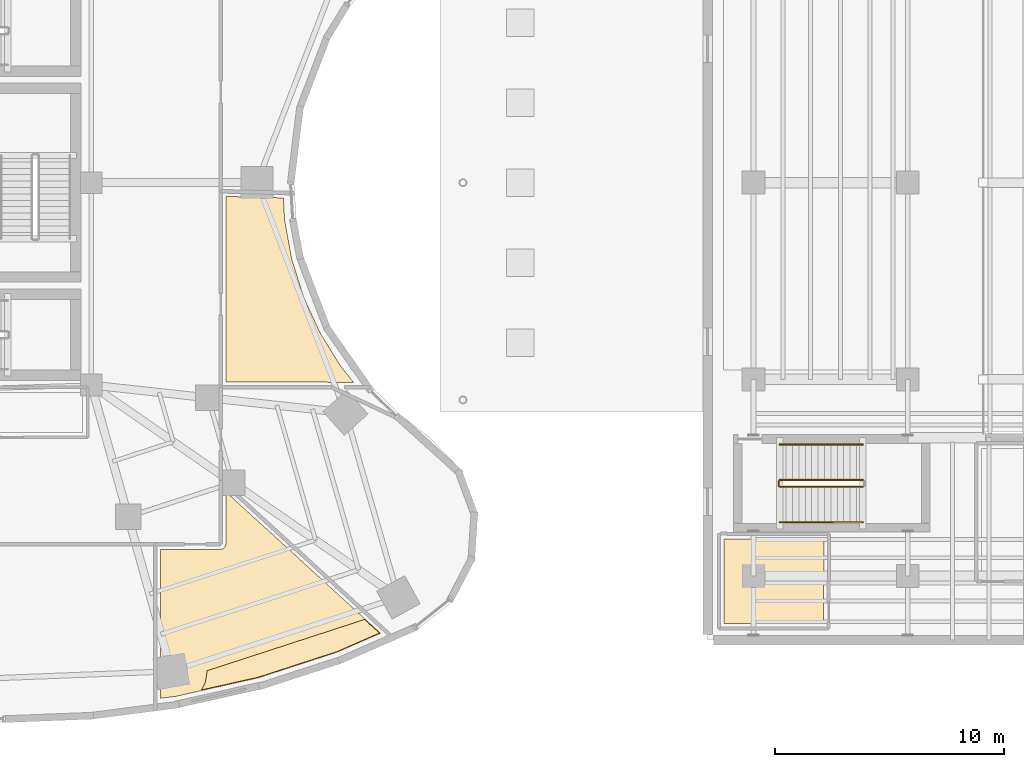
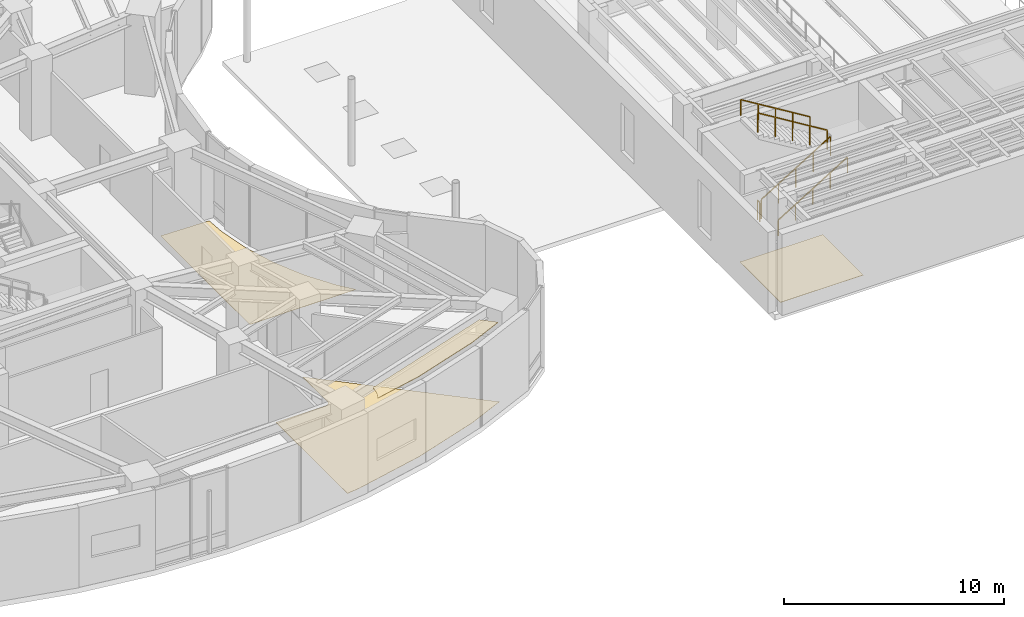
# One storey, part 22 of 24: 5 railings, 4 coverings.
"""IFC4 building model written with IfcOpenShell, lengths in metres."""

from ifc_helpers import new_model, si_unit, direction, frame, origin, origin_2d, place, context, subcontext, project, spatial, polyline, rectangle, outline, extrude, material, layer, layer_set, type_object, element, save


model = new_model("IFC4")

# Units and contexts
model_context = context("Model", 3, precision=1e-05, world=origin(), true_north=direction((0.0, 1.0)))
body_context = subcontext(model_context, "Body", "Model", "MODEL_VIEW")
ifc_project = project(units=[si_unit("LENGTHUNIT", "METRE"), si_unit("AREAUNIT", "SQUARE_METRE"), si_unit("VOLUMEUNIT", "CUBIC_METRE"), si_unit("PLANEANGLEUNIT", "RADIAN"), si_unit("MASSUNIT", "GRAM", prefix="KILO")], contexts=[model_context])

# Site, building, storey
site_placement = place(None, origin())
site = spatial("IfcSite", under=ifc_project, at=site_placement, CompositionType="ELEMENT")
building_placement = place(site_placement, origin())
building = spatial("IfcBuilding", under=site, at=building_placement, Name="Korentha Bioscience Tower", CompositionType="ELEMENT")
storey_placement = place(building_placement, frame((0.0, 0.0, 10.199951171875)))
storey = spatial("IfcBuildingStorey", under=building, at=storey_placement, Name="L02", CompositionType="ELEMENT", Elevation=10.199951171875)

# Covering
ifc_material_1 = material(Name="Vitrified Porcelain Tile", Category="ceramic")
ifc_layer_1 = layer(ifc_material_1, 0.014892578125, Name="Vitrified Porcelain Tile")
ifc_layer_set_1 = layer_set([ifc_layer_1], Name="Vitrified Porcelain Tile (FL-CER)")
covering_type_1 = type_object("IfcCoveringType", Name="Anti-Slip Ceramic Wet-Room Tile Flooring 15", PredefinedType="FLOORING", material=ifc_layer_set_1)
covering_1_placement = place(storey_placement, origin())
element("IfcCovering", 1, at=covering_1_placement, inside=storey, type_object=covering_type_1, Name="L02 L02 Theatre Public Restrooms Floor Finish", PredefinedType="FLOORING", context=body_context, shape_type="SweptSolid", body=[
    extrude(outline(polyline([(65.219970703125, 11.429931640625), (69.580078125, 11.419921875), (69.570068359375, 7.719970703125), (65.219970703125, 7.719970703125), (65.219970703125, 11.429931640625)])), origin(), (0.0, 0.0, 1.0), 0.01513671875),
])

# Railings
ifc_material_2 = material(Name="Stainless Steel 304", Category="steel")
railing_type_1 = type_object("IfcRailingType", Name="Brushed Stainless Stair Handrail 900", PredefinedType="HANDRAIL", material=ifc_material_2)
railing_1_placement = place(storey_placement, frame((67.64990234375, 12.14990234375, 0.17138671875)))
element("IfcRailing", 2, at=railing_1_placement, inside=storey, type_object=railing_type_1, Name="L02 ST-T1 stair handrail 1", PredefinedType="HANDRAIL", context=body_context, shape_type="SweptSolid", body=[
    extrude(rectangle(XDim=0.048095703125, YDim=0.048095703125, at=origin_2d()), frame((0.0, 0.0, 0.8759765625), z_axis=(0.852840387347, 0.0, 0.522171689878), x_axis=(0.0, 1.0, 0.0)), (0.0, 0.0, 1.0), 4.268310546875),
    extrude(rectangle(XDim=0.0419921875, YDim=0.0419921875, at=origin_2d()), origin(), (0.0, 0.0, 1.0), 0.851806640625),
    extrude(rectangle(XDim=0.0419921875, YDim=0.0419921875, at=origin_2d()), frame((0.91015625, 0.0, 0.55712890625)), (0.0, 0.0, 1.0), 0.851806640625),
    extrude(rectangle(XDim=0.0419921875, YDim=0.0419921875, at=origin_2d()), frame((1.820068359375, 0.0, 1.1142578125)), (0.0, 0.0, 1.0), 0.851806640625),
    extrude(rectangle(XDim=0.0419921875, YDim=0.0419921875, at=origin_2d()), frame((2.72998046875, 0.0, 1.671630859375)), (0.0, 0.0, 1.0), 0.851806640625),
    extrude(rectangle(XDim=0.0419921875, YDim=0.0419921875, at=origin_2d()), frame((3.64013671875, 0.0, 2.228759765625)), (0.0, 0.0, 1.0), 0.851806640625),
])
railing_2_placement = place(storey_placement, frame((71.2900390625, 15.550048828125, 2.571533203125)))
element("IfcRailing", 3, at=railing_2_placement, inside=storey, type_object=railing_type_1, Name="L02 ST-T1 stair handrail 2", PredefinedType="HANDRAIL", context=body_context, shape_type="SweptSolid", body=[
    extrude(rectangle(XDim=0.048095703125, YDim=0.048095703125, at=origin_2d()), frame((0.0, 0.0, 0.8759765625), z_axis=(-0.852865859571, 0.0, 0.52213008492), x_axis=(0.0, -1.0, 0.0)), (0.0, 0.0, 1.0), 4.26806640625),
    extrude(rectangle(XDim=0.0419921875, YDim=0.0419921875, at=origin_2d()), origin(), (0.0, 0.0, 1.0), 0.851806640625),
    extrude(rectangle(XDim=0.0419921875, YDim=0.0419921875, at=origin_2d()), frame((-0.91015625, 0.0, 0.55712890625)), (0.0, 0.0, 1.0), 0.851806640625),
    extrude(rectangle(XDim=0.0419921875, YDim=0.0419921875, at=origin_2d()), frame((-1.820068359375, 0.0, 1.1142578125)), (0.0, 0.0, 1.0), 0.851806640625),
    extrude(rectangle(XDim=0.0419921875, YDim=0.0419921875, at=origin_2d()), frame((-2.72998046875, 0.0, 1.67138671875)), (0.0, 0.0, 1.0), 0.851806640625),
    extrude(rectangle(XDim=0.0419921875, YDim=0.0419921875, at=origin_2d()), frame((-3.64013671875, 0.0, 2.228515625)), (0.0, 0.0, 1.0), 0.851806640625),
])

# Covering
ifc_material_3 = material(Name="Antimicrobial Mineral Fibre Board", Category="gypsum")
ifc_layer_2 = layer(ifc_material_3, 0.034912109375, Name="Antimicrobial Mineral Fibre Board")
ifc_layer_set_2 = layer_set([ifc_layer_2], Name="Antimicrobial Mineral Fibre Board (CL-MF35)")
covering_type_2 = type_object("IfcCoveringType", Name="Mineral-Fibre Cleanroom Suspended Ceiling 35", PredefinedType="CEILING", material=ifc_layer_set_2)
covering_2_placement = place(storey_placement, frame((0.0, 0.0, 4.4150390625)))
element("IfcCovering", 4, at=covering_2_placement, inside=storey, type_object=covering_type_2, Name="L02 Faculty Dining Restaurant 06 Acoustic Ceiling", PredefinedType="CEILING", context=body_context, shape_type="SweptSolid", body=[
    extrude(outline(polyline([(49.49658203125, 7.89990234375), (50.14501953125, 7.306884765625), (48.299560546875, 6.498291015625), (44.849365234375, 5.376220703125), (42.370849609375, 4.821533203125), (42.484619140625, 5.0400390625), (42.535888671875, 5.183349609375), (42.594970703125, 5.4814453125), (42.601318359375, 5.65478515625), (49.49658203125, 7.89990234375)])), origin(), (0.0, 0.0, 1.0), 0.034912109375),
])

# Railings
ifc_material_4 = material(Name="Painted Steel S275", Category="steel")
railing_type_2 = type_object("IfcRailingType", Name="Painted Steel Stair Well Guardrail 1100", PredefinedType="GUARDRAIL", material=ifc_material_4)
railing_3_placement = place(storey_placement, frame((67.64990234375, 13.699951171875, 0.17138671875)))
element("IfcRailing", 5, at=railing_3_placement, inside=storey, type_object=railing_type_2, Name="L02 ST-T1 stair guard 1", PredefinedType="GUARDRAIL", context=body_context, shape_type="SweptSolid", body=[
    extrude(rectangle(XDim=0.048095703125, YDim=0.048095703125, at=origin_2d()), frame((0.0, 0.0, 1.076171875), z_axis=(0.852840387347, 0.0, 0.522171689878), x_axis=(0.0, 1.0, 0.0)), (0.0, 0.0, 1.0), 4.268310546875),
    extrude(rectangle(XDim=0.0419921875, YDim=0.0419921875, at=origin_2d()), origin(), (0.0, 0.0, 1.0), 1.052001953125),
    extrude(rectangle(XDim=0.0419921875, YDim=0.0419921875, at=origin_2d()), frame((0.91015625, 0.0, 0.55712890625)), (0.0, 0.0, 1.0), 1.052001953125),
    extrude(rectangle(XDim=0.0419921875, YDim=0.0419921875, at=origin_2d()), frame((1.820068359375, 0.0, 1.1142578125)), (0.0, 0.0, 1.0), 1.052001953125),
    extrude(rectangle(XDim=0.0419921875, YDim=0.0419921875, at=origin_2d()), frame((2.72998046875, 0.0, 1.671630859375)), (0.0, 0.0, 1.0), 1.052001953125),
    extrude(rectangle(XDim=0.0419921875, YDim=0.0419921875, at=origin_2d()), frame((3.64013671875, 0.0, 2.228759765625)), (0.0, 0.0, 1.0), 1.052001953125),
])
railing_4_placement = place(storey_placement, frame((71.2900390625, 14.0, 2.571533203125)))
element("IfcRailing", 6, at=railing_4_placement, inside=storey, type_object=railing_type_2, Name="L02 ST-T1 stair guard 3", PredefinedType="GUARDRAIL", context=body_context, shape_type="SweptSolid", body=[
    extrude(rectangle(XDim=0.048095703125, YDim=0.048095703125, at=origin_2d()), frame((0.0, 0.0, 1.076171875), z_axis=(-0.852865859571, 0.0, 0.52213008492), x_axis=(0.0, -1.0, 0.0)), (0.0, 0.0, 1.0), 4.26806640625),
    extrude(rectangle(XDim=0.0419921875, YDim=0.0419921875, at=origin_2d()), origin(), (0.0, 0.0, 1.0), 1.052001953125),
    extrude(rectangle(XDim=0.0419921875, YDim=0.0419921875, at=origin_2d()), frame((-0.91015625, 0.0, 0.55712890625)), (0.0, 0.0, 1.0), 1.052001953125),
    extrude(rectangle(XDim=0.0419921875, YDim=0.0419921875, at=origin_2d()), frame((-1.820068359375, 0.0, 1.1142578125)), (0.0, 0.0, 1.0), 1.052001953125),
    extrude(rectangle(XDim=0.0419921875, YDim=0.0419921875, at=origin_2d()), frame((-2.72998046875, 0.0, 1.67138671875)), (0.0, 0.0, 1.0), 1.052001953125),
    extrude(rectangle(XDim=0.0419921875, YDim=0.0419921875, at=origin_2d()), frame((-3.64013671875, 0.0, 2.228515625)), (0.0, 0.0, 1.0), 1.052001953125),
])
railing_5_placement = place(storey_placement, frame((67.60009765625, 13.75, 0.0)))
element("IfcRailing", 7, at=railing_5_placement, inside=storey, type_object=railing_type_2, Name="L02 ST-T1 stair guard 4", PredefinedType="GUARDRAIL", context=body_context, shape_type="SweptSolid", body=[
    extrude(rectangle(XDim=0.048095703125, YDim=0.048095703125, at=origin_2d()), frame((0.0, 0.0, 1.076171875), z_axis=(0.0, 1.0, 0.0), x_axis=(-1.0, 0.0, 0.0)), (0.0, 0.0, 1.0), 0.199951171875),
    extrude(rectangle(XDim=0.0419921875, YDim=0.0419921875, at=origin_2d()), origin(), (0.0, 0.0, 1.0), 1.052001953125),
    extrude(rectangle(XDim=0.0419921875, YDim=0.0419921875, at=origin_2d()), frame((0.0, 0.199951171875, 0.0)), (0.0, 0.0, 1.0), 1.052001953125),
])

# Coverings
ifc_material_5 = material(Name="Chemical-Resistant Epoxy Resin", Category="polymer")
ifc_layer_3 = layer(ifc_material_5, 0.011962890625, Name="Chemical-Resistant Epoxy Resin")
ifc_layer_set_3 = layer_set([ifc_layer_3], Name="Chemical-Resistant Epoxy Resin (FL-EPX)")
covering_type_3 = type_object("IfcCoveringType", Name="Seamless Epoxy Laboratory Flooring 12", PredefinedType="FLOORING", material=ifc_layer_set_3)
covering_3_placement = place(storey_placement, origin())
element("IfcCovering", 8, at=covering_3_placement, inside=storey, type_object=covering_type_3, Name="L02 Faculty Dining Restaurant 06 Floor Finish", PredefinedType="FLOORING", context=body_context, shape_type="SweptSolid", body=[
    extrude(outline(polyline([(41.2451171875, 4.538818359375), (40.577880859375, 4.45263671875), (40.577880859375, 10.969970703125), (43.199951171875, 10.969970703125), (43.27783203125, 10.983642578125), (43.35400390625, 11.029296875), (43.408203125, 11.10205078125), (43.4296875, 11.189208984375), (43.429931640625, 13.485595703125), (50.199462890625, 7.298095703125), (48.310302734375, 6.47021484375), (44.857177734375, 5.34716796875), (41.2451171875, 4.538818359375)])), origin(), (0.0, 0.0, 1.0), 0.011962890625),
])
covering_4_placement = place(storey_placement, origin())
element("IfcCovering", 9, at=covering_4_placement, inside=storey, type_object=covering_type_3, Name="L02 Audio-Visual Equipment Store 08 Floor Finish", PredefinedType="FLOORING", context=body_context, shape_type="SweptSolid", body=[
    extrude(outline(polyline([(46.006591796875, 25.334228515625), (46.315673828125, 23.6484375), (46.840087890625, 21.9873046875), (47.547607421875, 20.44140625), (48.410400390625, 19.033447265625), (49.01220703125, 18.272216796875), (43.429931640625, 18.278076171875), (43.429931640625, 26.3994140625), (45.945556640625, 26.33349609375), (46.006591796875, 25.334228515625)])), origin(), (0.0, 0.0, 1.0), 0.011962890625),
])

save(model, "model.ifc")
